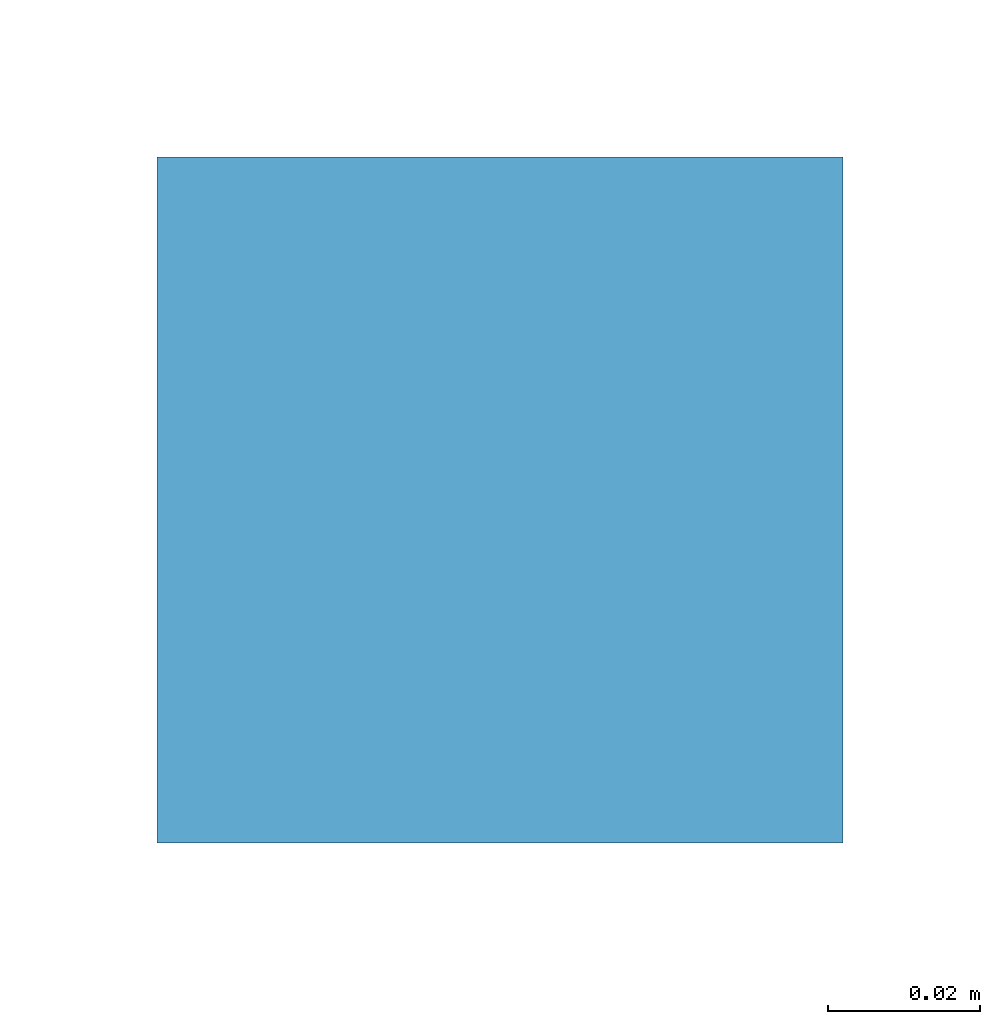
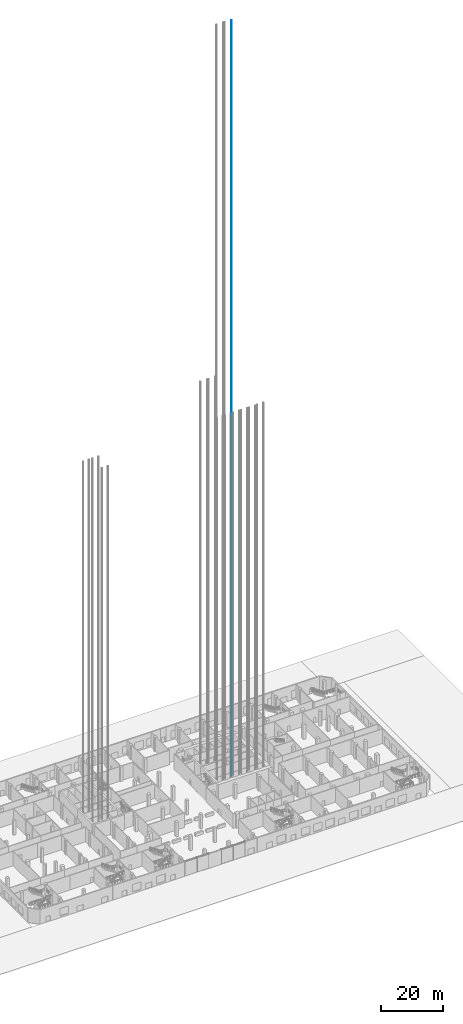
# One storey, part 31 of 55: 1 member.
"""IFC4 building model written with IfcOpenShell, lengths in metres."""

from ifc_helpers import new_model, si_unit, direction, frame, origin, origin_2d, place, context, subcontext, project, spatial, rectangle, extrude, material, material_profile, profile_set, type_object, element, save


model = new_model("IFC4")

# Units and contexts
model_context = context("Model", 3, precision=1e-05, world=origin(), true_north=direction((0.0, 1.0)))
body_context = subcontext(model_context, "Body", "Model", "MODEL_VIEW")
ifc_project = project(units=[si_unit("LENGTHUNIT", "METRE"), si_unit("AREAUNIT", "SQUARE_METRE"), si_unit("VOLUMEUNIT", "CUBIC_METRE"), si_unit("PLANEANGLEUNIT", "RADIAN"), si_unit("MASSUNIT", "GRAM", prefix="KILO")], contexts=[model_context])

# Site, building, storey
site_placement = place(None, origin())
site = spatial("IfcSite", under=ifc_project, at=site_placement, CompositionType="ELEMENT")
building_placement = place(site_placement, origin())
building = spatial("IfcBuilding", under=site, at=building_placement, Name="Cinnabar Reach Civic Tower", CompositionType="ELEMENT")
storey_placement = place(building_placement, origin())
storey = spatial("IfcBuildingStorey", under=building, at=storey_placement, Name="L00", CompositionType="ELEMENT", Elevation=0.0)

# Member
ifc_material = material(Name="Steel Q355B", Category="steel")
ifc_material_profile = material_profile(ifc_material, rectangle(XDim=0.09, YDim=0.09, at=origin_2d()), Name="T1 lift guide rail")
ifc_profile_set = profile_set([ifc_material_profile], Name="Steel Q355B")
member_type = type_object("IfcMemberType", Name="T1 lift guide rail", PredefinedType="USERDEFINED", material=ifc_profile_set)
member_placement = place(storey_placement, frame((16.28, 33.0, -2.5), z_axis=(0.0, 0.0, 1.0), x_axis=(1.0, 0.0, 0.0)))
element("IfcMember", 1, at=member_placement, inside=storey, type_object=member_type, Name="T1-OB2 guide rail 2", ObjectType="GUIDE RAIL", PredefinedType="USERDEFINED", context=body_context, shape_type="SweptSolid", body=[
    extrude(rectangle(XDim=0.09, YDim=0.09, at=origin_2d()), origin(), (0.0, 0.0, 1.0), 297.5),
])

save(model, "model.ifc")
